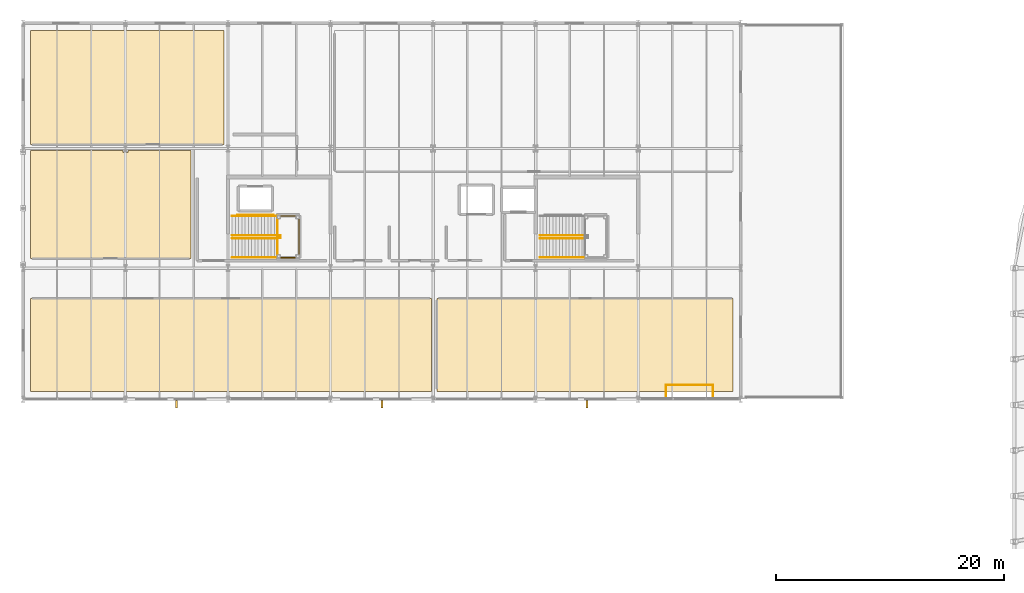
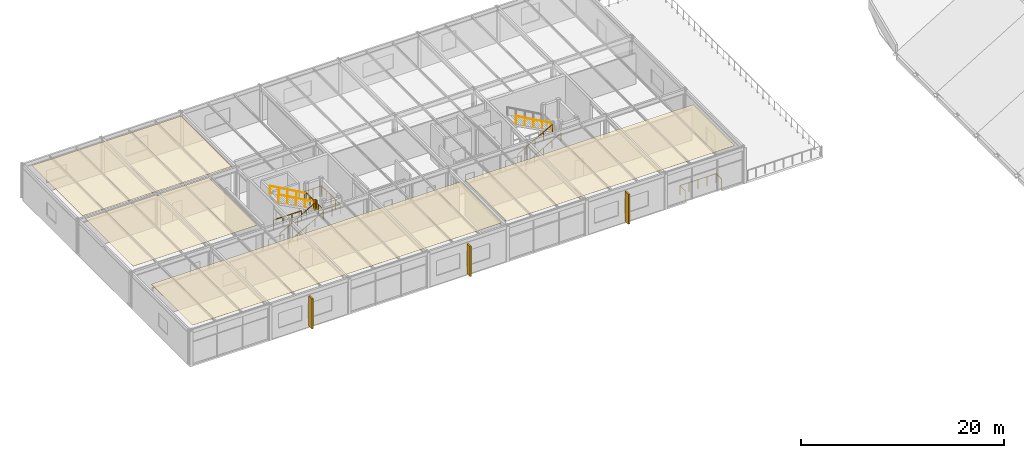
# One storey, part 41 of 44: 11 railings, 4 coverings, 3 shading devices.
"""IFC4 building model written with IfcOpenShell, lengths in metres."""

from ifc_helpers import new_model, si_unit, direction, frame, origin, origin_2d, place, context, subcontext, project, spatial, polyline, rectangle, circle, outline, extrude, material, layer, layer_set, type_object, element, save


model = new_model("IFC4")

# Units and contexts
model_context = context("Model", 3, precision=1e-05, world=origin(), true_north=direction((0.0, 1.0)))
body_context = subcontext(model_context, "Body", "Model", "MODEL_VIEW")
ifc_project = project(units=[si_unit("LENGTHUNIT", "METRE"), si_unit("AREAUNIT", "SQUARE_METRE"), si_unit("VOLUMEUNIT", "CUBIC_METRE"), si_unit("PLANEANGLEUNIT", "RADIAN"), si_unit("MASSUNIT", "GRAM", prefix="KILO")], contexts=[model_context])

# Site, building, storey
site_placement = place(None, origin())
site = spatial("IfcSite", under=ifc_project, at=site_placement, CompositionType="ELEMENT")
building_placement = place(site_placement, origin())
building = spatial("IfcBuilding", under=site, at=building_placement, Name="Marlcrest Central Station", CompositionType="ELEMENT")
storey_placement = place(building_placement, frame((0.0, 0.0, 19.5)))
storey = spatial("IfcBuildingStorey", under=building, at=storey_placement, Name="L04", CompositionType="ELEMENT", Elevation=19.5)

# Coverings
ifc_material_1 = material(Name="Perforated acoustic mineral-fibre ceiling")
ifc_layer = layer(ifc_material_1, 0.02490234375, Name="CV-CLG")
ifc_layer_set = layer_set([ifc_layer], Name="Perforated acoustic mineral-fibre ceiling")
covering_type = type_object("IfcCoveringType", Name="CV-CLG", PredefinedType="CEILING", material=ifc_layer_set)
covering_1_placement = place(storey_placement, frame((0.0, 0.0, 4.175048828125)))
element("IfcCovering", 1, at=covering_1_placement, inside=storey, type_object=covering_type, Name="cov-clg-0130", PredefinedType="CEILING", context=body_context, shape_type="SweptSolid", body=[
    extrude(outline(polyline([(35.840087890625, 99.659912109375), (35.840087890625, 107.840087890625), (0.659912109375, 107.840087890625), (0.659912109375, 99.659912109375), (35.840087890625, 99.659912109375)])), origin(), (0.0, 0.0, 1.0), 0.02490234375),
])
covering_2_placement = place(storey_placement, frame((0.0, 0.0, 4.175048828125)))
element("IfcCovering", 2, at=covering_2_placement, inside=storey, type_object=covering_type, Name="cov-clg-0131", PredefinedType="CEILING", context=body_context, shape_type="SweptSolid", body=[
    extrude(outline(polyline([(62.340087890625, 99.659912109375), (62.340087890625, 107.840087890625), (36.360107421875, 107.840087890625), (36.360107421875, 99.659912109375), (62.340087890625, 99.659912109375)])), origin(), (0.0, 0.0, 1.0), 0.02490234375),
])
covering_3_placement = place(storey_placement, frame((0.0, 0.0, 4.175048828125)))
element("IfcCovering", 3, at=covering_3_placement, inside=storey, type_object=covering_type, Name="cov-clg-0132", PredefinedType="CEILING", context=body_context, shape_type="SweptSolid", body=[
    extrude(outline(polyline([(14.739990234375, 120.840087890625), (14.739990234375, 111.360107421875), (0.659912109375, 111.360107421875), (0.659912109375, 120.840087890625), (8.7900390625, 120.840087890625), (8.7900390625, 120.6650390625), (9.2099609375, 120.6650390625), (9.2099609375, 120.840087890625), (14.739990234375, 120.840087890625)])), origin(), (0.0, 0.0, 1.0), 0.02490234375),
])
covering_4_placement = place(storey_placement, frame((0.0, 0.0, 4.175048828125)))
element("IfcCovering", 4, at=covering_4_placement, inside=storey, type_object=covering_type, Name="cov-clg-0133", PredefinedType="CEILING", context=body_context, shape_type="SweptSolid", body=[
    extrude(outline(polyline([(17.639892578125, 121.360107421875), (17.639892578125, 131.340087890625), (0.659912109375, 131.340087890625), (0.659912109375, 121.360107421875), (17.639892578125, 121.360107421875)])), origin(), (0.0, 0.0, 1.0), 0.02490234375),
])

# Railings
ifc_material_2 = material(Name="Stainless steel and laminated glass concourse balustrade", Category="steel")
railing_type_1 = type_object("IfcRailingType", Name="GR-02", PredefinedType="BALUSTRADE", material=ifc_material_2)
railing_1_placement = place(storey_placement, frame((22.320068359375, 111.409912109375, 2.25)))
element("IfcRailing", 5, at=railing_1_placement, inside=storey, type_object=railing_type_1, Name="hr-L04-00280", PredefinedType="BALUSTRADE", context=body_context, shape_type="SweptSolid", body=[
    extrude(circle(Radius=0.02392578125, at=origin_2d()), frame((0.0, 0.0, 1.09619140625), z_axis=(1.0, 0.0, 0.0), x_axis=(0.0, 1.0, 0.0)), (0.0, 0.0, 1.0), 1.919921875),
    extrude(circle(Radius=0.02392578125, at=origin_2d()), frame((1.919921875, 0.0, 1.09619140625), z_axis=(0.0, 1.0, 0.0), x_axis=(-1.0, 0.0, 0.0)), (0.0, 0.0, 1.0), 3.68017578125),
    extrude(circle(Radius=0.02392578125, at=origin_2d()), frame((1.919921875, 3.68017578125, 1.09619140625), z_axis=(-1.0, 0.0, 0.0), x_axis=(0.0, -1.0, 0.0)), (0.0, 0.0, 1.0), 1.919921875),
    extrude(circle(Radius=0.02099609375, at=origin_2d()), origin(), (0.0, 0.0, 1.0), 1.072021484375),
    extrude(circle(Radius=0.02099609375, at=origin_2d()), frame((0.9599609375, 0.0, 0.0)), (0.0, 0.0, 1.0), 1.072021484375),
    extrude(circle(Radius=0.02099609375, at=origin_2d()), frame((1.919921875, 0.0, 0.0)), (0.0, 0.0, 1.0), 1.072021484375),
    extrude(circle(Radius=0.02099609375, at=origin_2d()), frame((1.919921875, 0.919921875, 0.0)), (0.0, 0.0, 1.0), 1.072021484375),
    extrude(circle(Radius=0.02099609375, at=origin_2d()), frame((1.919921875, 1.840087890625, 0.0)), (0.0, 0.0, 1.0), 1.072021484375),
    extrude(circle(Radius=0.02099609375, at=origin_2d()), frame((1.919921875, 2.76025390625, 0.0)), (0.0, 0.0, 1.0), 1.072021484375),
    extrude(circle(Radius=0.02099609375, at=origin_2d()), frame((1.919921875, 3.68017578125, 0.0)), (0.0, 0.0, 1.0), 1.072021484375),
    extrude(circle(Radius=0.02099609375, at=origin_2d()), frame((0.9599609375, 3.68017578125, 0.0)), (0.0, 0.0, 1.0), 1.072021484375),
    extrude(circle(Radius=0.02099609375, at=origin_2d()), frame((0.0, 3.68017578125, 0.0)), (0.0, 0.0, 1.0), 1.072021484375),
])
railing_2_placement = place(storey_placement, frame((60.56005859375, 99.18994140625, 0.0)))
element("IfcRailing", 6, at=railing_2_placement, inside=storey, type_object=railing_type_1, Name="hr-L04-00323", PredefinedType="BALUSTRADE", context=body_context, shape_type="SweptSolid", body=[
    extrude(circle(Radius=0.02392578125, at=origin_2d()), frame((0.0, 0.0, 1.09619140625), z_axis=(0.0, 1.0, 0.0), x_axis=(-1.0, 0.0, 0.0)), (0.0, 0.0, 1.0), 1.070068359375),
    extrude(circle(Radius=0.02392578125, at=origin_2d()), frame((0.0, 1.070068359375, 1.09619140625), z_axis=(-1.0, 0.0, 0.0), x_axis=(0.0, -1.0, 0.0)), (0.0, 0.0, 1.0), 4.1201171875),
    extrude(circle(Radius=0.02392578125, at=origin_2d()), frame((-4.1201171875, 1.070068359375, 1.09619140625), z_axis=(0.0, -1.0, 0.0), x_axis=(1.0, 0.0, 0.0)), (0.0, 0.0, 1.0), 1.070068359375),
    extrude(circle(Radius=0.02099609375, at=origin_2d()), origin(), (0.0, 0.0, 1.0), 1.072021484375),
    extrude(circle(Radius=0.02099609375, at=origin_2d()), frame((0.0, 1.070068359375, 0.0)), (0.0, 0.0, 1.0), 1.072021484375),
    extrude(circle(Radius=0.02099609375, at=origin_2d()), frame((-1.030029296875, 1.070068359375, 0.0)), (0.0, 0.0, 1.0), 1.072021484375),
    extrude(circle(Radius=0.02099609375, at=origin_2d()), frame((-2.06005859375, 1.070068359375, 0.0)), (0.0, 0.0, 1.0), 1.072021484375),
    extrude(circle(Radius=0.02099609375, at=origin_2d()), frame((-3.090087890625, 1.070068359375, 0.0)), (0.0, 0.0, 1.0), 1.072021484375),
    extrude(circle(Radius=0.02099609375, at=origin_2d()), frame((-4.1201171875, 1.070068359375, 0.0)), (0.0, 0.0, 1.0), 1.072021484375),
    extrude(circle(Radius=0.02099609375, at=origin_2d()), frame((-4.1201171875, 0.0, 0.0)), (0.0, 0.0, 1.0), 1.072021484375),
])
railing_3_placement = place(storey_placement, frame((21.991943359375, 115.159912109375, 0.0)))
element("IfcRailing", 7, at=railing_3_placement, inside=storey, type_object=railing_type_1, Name="hr-L04-00325", PredefinedType="BALUSTRADE", context=body_context, shape_type="SweptSolid", body=[
    extrude(circle(Radius=0.02392578125, at=origin_2d()), frame((0.0, 0.0, 1.09619140625), z_axis=(-1.0, 0.0, 0.0), x_axis=(0.0, -1.0, 0.0)), (0.0, 0.0, 1.0), 3.171875),
    extrude(circle(Radius=0.02099609375, at=origin_2d()), origin(), (0.0, 0.0, 1.0), 1.072021484375),
    extrude(circle(Radius=0.02099609375, at=origin_2d()), frame((-1.057373046875, 0.0, 0.0)), (0.0, 0.0, 1.0), 1.072021484375),
    extrude(circle(Radius=0.02099609375, at=origin_2d()), frame((-2.114501953125, 0.0, 0.0)), (0.0, 0.0, 1.0), 1.072021484375),
    extrude(circle(Radius=0.02099609375, at=origin_2d()), frame((-3.171875, 0.0, 0.0)), (0.0, 0.0, 1.0), 1.072021484375),
])
railing_4_placement = place(storey_placement, frame((22.340087890625, 111.659912109375, 2.25)))
element("IfcRailing", 8, at=railing_4_placement, inside=storey, type_object=railing_type_1, Name="hr-L04-00608", PredefinedType="BALUSTRADE", context=body_context, shape_type="SweptSolid", body=[
    extrude(circle(Radius=0.02392578125, at=origin_2d()), frame((0.0, 0.0, 1.09619140625), z_axis=(0.0, 1.0, 0.0), x_axis=(-1.0, 0.0, 0.0)), (0.0, 0.0, 1.0), 1.469970703125),
    extrude(circle(Radius=0.02392578125, at=origin_2d()), frame((0.0, 1.469970703125, 1.09619140625), z_axis=(1.0, 0.0, 0.0), x_axis=(0.0, 1.0, 0.0)), (0.0, 0.0, 1.0), 0.25),
    extrude(circle(Radius=0.02392578125, at=origin_2d()), frame((0.25, 1.469970703125, 1.09619140625), z_axis=(0.0, 1.0, 0.0), x_axis=(-1.0, 0.0, 0.0)), (0.0, 0.0, 1.0), 0.240234375),
    extrude(circle(Radius=0.02392578125, at=origin_2d()), frame((0.25, 1.710205078125, 1.09619140625), z_axis=(-1.0, 0.0, 0.0), x_axis=(0.0, -1.0, 0.0)), (0.0, 0.0, 1.0), 0.25),
    extrude(circle(Radius=0.02392578125, at=origin_2d()), frame((0.0, 1.710205078125, 1.09619140625), z_axis=(0.0, 1.0, 0.0), x_axis=(-1.0, 0.0, 0.0)), (0.0, 0.0, 1.0), 1.469970703125),
    extrude(circle(Radius=0.02099609375, at=origin_2d()), origin(), (0.0, 0.0, 1.0), 1.072021484375),
    extrude(circle(Radius=0.02099609375, at=origin_2d()), frame((0.0, 0.73486328125, 0.0)), (0.0, 0.0, 1.0), 1.072021484375),
    extrude(circle(Radius=0.02099609375, at=origin_2d()), frame((0.0, 1.469970703125, 0.0)), (0.0, 0.0, 1.0), 1.072021484375),
    extrude(circle(Radius=0.02099609375, at=origin_2d()), frame((0.25, 1.469970703125, 0.0)), (0.0, 0.0, 1.0), 1.072021484375),
    extrude(circle(Radius=0.02099609375, at=origin_2d()), frame((0.25, 1.710205078125, 0.0)), (0.0, 0.0, 1.0), 1.072021484375),
    extrude(circle(Radius=0.02099609375, at=origin_2d()), frame((0.0, 1.710205078125, 0.0)), (0.0, 0.0, 1.0), 1.072021484375),
    extrude(circle(Radius=0.02099609375, at=origin_2d()), frame((0.0, 2.4453125, 0.0)), (0.0, 0.0, 1.0), 1.072021484375),
    extrude(circle(Radius=0.02099609375, at=origin_2d()), frame((0.0, 3.18017578125, 0.0)), (0.0, 0.0, 1.0), 1.072021484375),
])
ifc_material_3 = material(Name="Brushed stainless steel handrail", Category="steel")
railing_type_2 = type_object("IfcRailingType", Name="HR-01", PredefinedType="HANDRAIL", material=ifc_material_3)
railing_5_placement = place(storey_placement, frame((18.3701171875, 111.419921875, 0.0)))
element("IfcRailing", 9, at=railing_5_placement, inside=storey, type_object=railing_type_2, Name="hr-L04-00276", PredefinedType="HANDRAIL", context=body_context, shape_type="SweptSolid", body=[
    extrude(circle(Radius=0.02392578125, at=origin_2d()), frame((0.0, 0.0, 0.89599609375), z_axis=(0.871049806155, 0.0, 0.491194701923), x_axis=(0.0, 1.0, 0.0)), (0.0, 0.0, 1.0), 4.58056640625),
    extrude(circle(Radius=0.02099609375, at=origin_2d()), origin(), (0.0, 0.0, 1.0), 0.871826171875),
    extrude(circle(Radius=0.02099609375, at=origin_2d()), frame((0.99755859375, 0.0, 0.5625)), (0.0, 0.0, 1.0), 0.871826171875),
    extrude(circle(Radius=0.02099609375, at=origin_2d()), frame((1.9951171875, 0.0, 1.125)), (0.0, 0.0, 1.0), 0.871826171875),
    extrude(circle(Radius=0.02099609375, at=origin_2d()), frame((2.992431640625, 0.0, 1.6875)), (0.0, 0.0, 1.0), 0.871826171875),
    extrude(circle(Radius=0.02099609375, at=origin_2d()), frame((3.989990234375, 0.0, 2.25)), (0.0, 0.0, 1.0), 0.871826171875),
])
railing_6_placement = place(storey_placement, frame((22.360107421875, 113.3798828125, 2.25)))
element("IfcRailing", 10, at=railing_6_placement, inside=storey, type_object=railing_type_2, Name="hr-L04-00277", PredefinedType="HANDRAIL", context=body_context, shape_type="SweptSolid", body=[
    extrude(circle(Radius=0.02392578125, at=origin_2d()), frame((0.0, 0.0, 0.89599609375), z_axis=(-0.871049806155, 0.0, 0.491194701923), x_axis=(0.0, -1.0, 0.0)), (0.0, 0.0, 1.0), 4.58056640625),
    extrude(circle(Radius=0.02099609375, at=origin_2d()), origin(), (0.0, 0.0, 1.0), 0.871826171875),
    extrude(circle(Radius=0.02099609375, at=origin_2d()), frame((-0.99755859375, 0.0, 0.5625)), (0.0, 0.0, 1.0), 0.871826171875),
    extrude(circle(Radius=0.02099609375, at=origin_2d()), frame((-1.9951171875, 0.0, 1.125)), (0.0, 0.0, 1.0), 0.871826171875),
    extrude(circle(Radius=0.02099609375, at=origin_2d()), frame((-2.992431640625, 0.0, 1.6875)), (0.0, 0.0, 1.0), 0.871826171875),
    extrude(circle(Radius=0.02099609375, at=origin_2d()), frame((-3.989990234375, 0.0, 2.25)), (0.0, 0.0, 1.0), 0.871826171875),
])
railing_7_placement = place(storey_placement, frame((18.3701171875, 113.1201171875, 0.0)))
element("IfcRailing", 11, at=railing_7_placement, inside=storey, type_object=railing_type_2, Name="hr-L04-00278", PredefinedType="HANDRAIL", context=body_context, shape_type="SweptSolid", body=[
    extrude(circle(Radius=0.02392578125, at=origin_2d()), frame((0.0, 0.0, 0.89599609375), z_axis=(0.871049806155, 0.0, 0.491194701923), x_axis=(0.0, 1.0, 0.0)), (0.0, 0.0, 1.0), 4.58056640625),
    extrude(circle(Radius=0.02099609375, at=origin_2d()), origin(), (0.0, 0.0, 1.0), 0.871826171875),
    extrude(circle(Radius=0.02099609375, at=origin_2d()), frame((0.99755859375, 0.0, 0.5625)), (0.0, 0.0, 1.0), 0.871826171875),
    extrude(circle(Radius=0.02099609375, at=origin_2d()), frame((1.9951171875, 0.0, 1.125)), (0.0, 0.0, 1.0), 0.871826171875),
    extrude(circle(Radius=0.02099609375, at=origin_2d()), frame((2.992431640625, 0.0, 1.6875)), (0.0, 0.0, 1.0), 0.871826171875),
    extrude(circle(Radius=0.02099609375, at=origin_2d()), frame((3.989990234375, 0.0, 2.25)), (0.0, 0.0, 1.0), 0.871826171875),
])
railing_8_placement = place(storey_placement, frame((22.360107421875, 115.080078125, 2.25)))
element("IfcRailing", 12, at=railing_8_placement, inside=storey, type_object=railing_type_2, Name="hr-L04-00279", PredefinedType="HANDRAIL", context=body_context, shape_type="SweptSolid", body=[
    extrude(circle(Radius=0.02392578125, at=origin_2d()), frame((0.0, 0.0, 0.89599609375), z_axis=(-0.871049806155, 0.0, 0.491194701923), x_axis=(0.0, -1.0, 0.0)), (0.0, 0.0, 1.0), 4.58056640625),
    extrude(circle(Radius=0.02099609375, at=origin_2d()), origin(), (0.0, 0.0, 1.0), 0.871826171875),
    extrude(circle(Radius=0.02099609375, at=origin_2d()), frame((-0.99755859375, 0.0, 0.5625)), (0.0, 0.0, 1.0), 0.871826171875),
    extrude(circle(Radius=0.02099609375, at=origin_2d()), frame((-1.9951171875, 0.0, 1.125)), (0.0, 0.0, 1.0), 0.871826171875),
    extrude(circle(Radius=0.02099609375, at=origin_2d()), frame((-2.992431640625, 0.0, 1.6875)), (0.0, 0.0, 1.0), 0.871826171875),
    extrude(circle(Radius=0.02099609375, at=origin_2d()), frame((-3.989990234375, 0.0, 2.25)), (0.0, 0.0, 1.0), 0.871826171875),
])
railing_9_placement = place(storey_placement, frame((45.3701171875, 111.419921875, 0.0)))
element("IfcRailing", 13, at=railing_9_placement, inside=storey, type_object=railing_type_2, Name="hr-L04-00281", PredefinedType="HANDRAIL", context=body_context, shape_type="SweptSolid", body=[
    extrude(circle(Radius=0.02392578125, at=origin_2d()), frame((0.0, 0.0, 0.89599609375), z_axis=(0.871049806155, 0.0, 0.491194701923), x_axis=(0.0, 1.0, 0.0)), (0.0, 0.0, 1.0), 4.58056640625),
    extrude(circle(Radius=0.02099609375, at=origin_2d()), origin(), (0.0, 0.0, 1.0), 0.871826171875),
    extrude(circle(Radius=0.02099609375, at=origin_2d()), frame((0.99755859375, 0.0, 0.5625)), (0.0, 0.0, 1.0), 0.871826171875),
    extrude(circle(Radius=0.02099609375, at=origin_2d()), frame((1.9951171875, 0.0, 1.125)), (0.0, 0.0, 1.0), 0.871826171875),
    extrude(circle(Radius=0.02099609375, at=origin_2d()), frame((2.992431640625, 0.0, 1.6875)), (0.0, 0.0, 1.0), 0.871826171875),
    extrude(circle(Radius=0.02099609375, at=origin_2d()), frame((3.989990234375, 0.0, 2.25)), (0.0, 0.0, 1.0), 0.871826171875),
])
railing_10_placement = place(storey_placement, frame((49.360107421875, 113.3798828125, 2.25)))
element("IfcRailing", 14, at=railing_10_placement, inside=storey, type_object=railing_type_2, Name="hr-L04-00282", PredefinedType="HANDRAIL", context=body_context, shape_type="SweptSolid", body=[
    extrude(circle(Radius=0.02392578125, at=origin_2d()), frame((0.0, 0.0, 0.89599609375), z_axis=(-0.871049806155, 0.0, 0.491194701923), x_axis=(0.0, -1.0, 0.0)), (0.0, 0.0, 1.0), 4.58056640625),
    extrude(circle(Radius=0.02099609375, at=origin_2d()), origin(), (0.0, 0.0, 1.0), 0.871826171875),
    extrude(circle(Radius=0.02099609375, at=origin_2d()), frame((-0.99755859375, 0.0, 0.5625)), (0.0, 0.0, 1.0), 0.871826171875),
    extrude(circle(Radius=0.02099609375, at=origin_2d()), frame((-1.9951171875, 0.0, 1.125)), (0.0, 0.0, 1.0), 0.871826171875),
    extrude(circle(Radius=0.02099609375, at=origin_2d()), frame((-2.992431640625, 0.0, 1.6875)), (0.0, 0.0, 1.0), 0.871826171875),
    extrude(circle(Radius=0.02099609375, at=origin_2d()), frame((-3.989990234375, 0.0, 2.25)), (0.0, 0.0, 1.0), 0.871826171875),
])
railing_11_placement = place(storey_placement, frame((45.3701171875, 113.1201171875, 0.0)))
element("IfcRailing", 15, at=railing_11_placement, inside=storey, type_object=railing_type_2, Name="hr-L04-00283", PredefinedType="HANDRAIL", context=body_context, shape_type="SweptSolid", body=[
    extrude(circle(Radius=0.02392578125, at=origin_2d()), frame((0.0, 0.0, 0.89599609375), z_axis=(0.871049806155, 0.0, 0.491194701923), x_axis=(0.0, 1.0, 0.0)), (0.0, 0.0, 1.0), 4.58056640625),
    extrude(circle(Radius=0.02099609375, at=origin_2d()), origin(), (0.0, 0.0, 1.0), 0.871826171875),
    extrude(circle(Radius=0.02099609375, at=origin_2d()), frame((0.99755859375, 0.0, 0.5625)), (0.0, 0.0, 1.0), 0.871826171875),
    extrude(circle(Radius=0.02099609375, at=origin_2d()), frame((1.9951171875, 0.0, 1.125)), (0.0, 0.0, 1.0), 0.871826171875),
    extrude(circle(Radius=0.02099609375, at=origin_2d()), frame((2.992431640625, 0.0, 1.6875)), (0.0, 0.0, 1.0), 0.871826171875),
    extrude(circle(Radius=0.02099609375, at=origin_2d()), frame((3.989990234375, 0.0, 2.25)), (0.0, 0.0, 1.0), 0.871826171875),
])

# Shading devices
ifc_material_4 = material(Name="Precast concrete C40/50", Category="concrete")
shading_device_type = type_object("IfcShadingDeviceType", Name="SD-BS1", PredefinedType="USERDEFINED", material=ifc_material_4)
for number, where, z_axis, x_axis, name in (
    (16, (13.5, 98.56494140625, 0.125), (0.0, 0.0, 1.0), (1.0, 0.0, 0.0), "shd-L04-0055"),
    (17, (31.5, 98.56494140625, 0.125), (0.0, 0.0, 1.0), (1.0, 0.0, 0.0), "shd-L04-0056"),
    (18, (49.5, 98.56494140625, 0.125), (0.0, 0.0, 1.0), (1.0, 0.0, 0.0), "shd-L04-0057"),
):
    element("IfcShadingDevice", number, at=place(storey_placement, frame(where, z_axis=z_axis, x_axis=x_axis)), inside=storey, type_object=shading_device_type, Name=name, ObjectType="BRISE_SOLEIL", PredefinedType="USERDEFINED", context=body_context, shape_type="SweptSolid", body=[
        extrude(rectangle(XDim=0.179931640625, YDim=0.64990234375, at=origin_2d()), origin(), (0.0, 0.0, 1.0), 3.60009765625),
    ])

save(model, "model.ifc")
